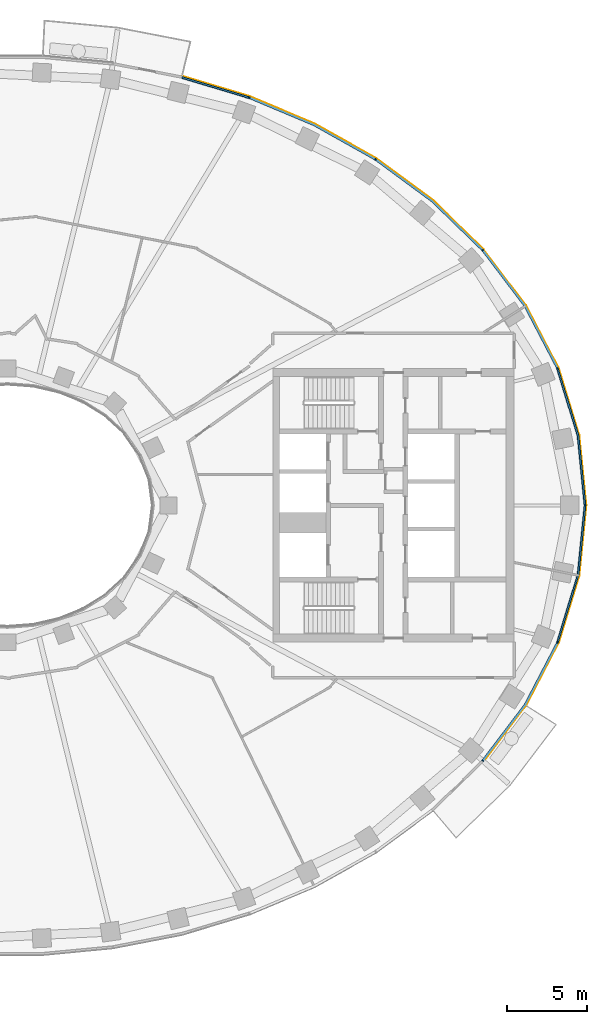
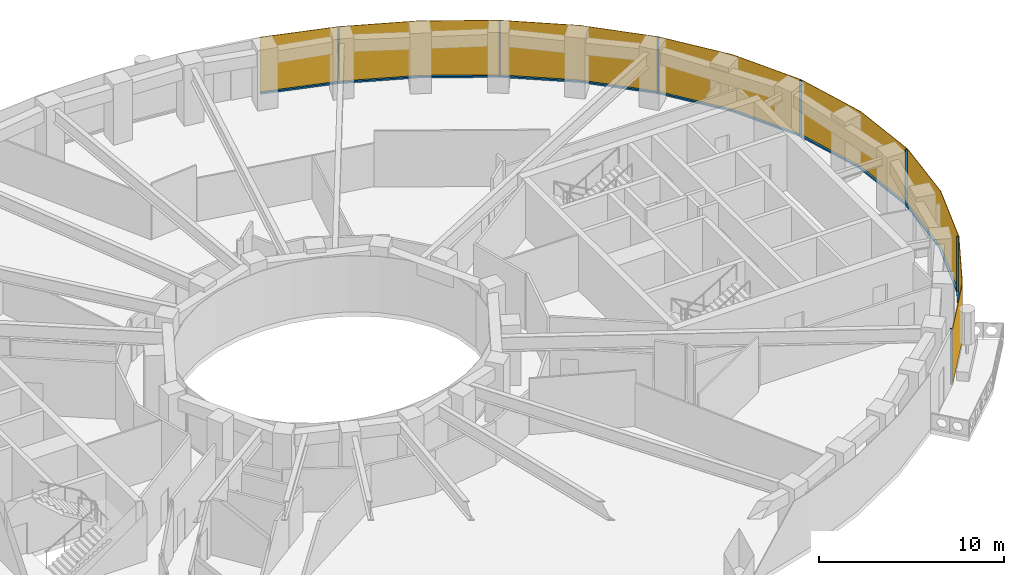
# One storey, part 13 of 16: 14 members, 1 curtain wall.
"""IFC4 building model written with IfcOpenShell, lengths in metres."""

from ifc_helpers import new_model, si_unit, direction, frame, origin, origin_2d, place, context, subcontext, project, spatial, polyline, rectangle, outline, extrude, material, layer, layer_set, material_profile, profile_set, type_object, element, aggregate, save


model = new_model("IFC4")

# Units and contexts
model_context = context("Model", 3, precision=1e-05, world=origin(), true_north=direction((0.0, 1.0)))
body_context = subcontext(model_context, "Body", "Model", "MODEL_VIEW")
ifc_project = project(units=[si_unit("LENGTHUNIT", "METRE"), si_unit("AREAUNIT", "SQUARE_METRE"), si_unit("VOLUMEUNIT", "CUBIC_METRE"), si_unit("PLANEANGLEUNIT", "RADIAN"), si_unit("MASSUNIT", "GRAM", prefix="KILO")], contexts=[model_context])

# Member
ifc_material_1 = material(Name="Aluminium 6063-T6 black anodised", Category="aluminium")
ifc_material_profile = material_profile(ifc_material_1, rectangle(XDim=0.1201171875, YDim=0.06005859375, at=origin_2d()), Name="120x60")
ifc_profile_set = profile_set([ifc_material_profile], Name="Aluminium 6063-T6 black anodised")
member_type_1 = type_object("IfcMemberType", Name="ENV-MULLION-A-120", PredefinedType="MULLION", material=ifc_profile_set)
site_placement = place(None, origin())
building_placement = place(site_placement, origin())
storey_placement = place(building_placement, frame((0.0, 0.0, 178.0)))
member_1_placement = place(storey_placement, frame((29.53857421875, -15.8671875, 0.0), z_axis=(0.0, 0.0, 1.0), x_axis=(-0.749047221705, 0.662516610853, 0.0)))
member_1 = element("IfcMember", 1, at=member_1_placement, type_object=member_type_1, Name="Mullion A radial 43", PredefinedType="MULLION", context=body_context, shape_type="SweptSolid", body=[
    extrude(rectangle(XDim=0.1201171875, YDim=0.06005859375, at=origin_2d()), origin(), (0.0, 0.0, 1.0), 3.699951171875),
])

member_2_placement = place(storey_placement, frame((34.19580078125, -8.513916015625, 0.0), z_axis=(0.0, 0.0, 1.0), x_axis=(-0.92546738067, 0.378827305398, 0.0)))
member_2 = element("IfcMember", 2, at=member_2_placement, type_object=member_type_1, Name="Mullion A radial 45", PredefinedType="MULLION", context=body_context, shape_type="SweptSolid", body=[
    extrude(rectangle(XDim=0.1201171875, YDim=0.06005859375, at=origin_2d()), origin(), (0.0, 0.0, 1.0), 3.699951171875),
])

member_3_placement = place(storey_placement, frame((35.907958984375, 0.0, 0.0), z_axis=(0.0, 0.0, 1.0), x_axis=(-1.0, 0.0, 0.0)))
member_3 = element("IfcMember", 3, at=member_3_placement, type_object=member_type_1, Name="Mullion A radial 01", PredefinedType="MULLION", context=body_context, shape_type="SweptSolid", body=[
    extrude(rectangle(XDim=0.1201171875, YDim=0.06005859375, at=origin_2d()), origin(), (0.0, 0.0, 1.0), 3.699951171875),
])

member_4_placement = place(storey_placement, frame((34.19580078125, 8.513916015625, 0.0), z_axis=(0.0, 0.0, 1.0), x_axis=(-0.92546738067, -0.378827305398, 0.0)))
member_4 = element("IfcMember", 4, at=member_4_placement, type_object=member_type_1, Name="Mullion A radial 03", PredefinedType="MULLION", context=body_context, shape_type="SweptSolid", body=[
    extrude(rectangle(XDim=0.1201171875, YDim=0.06005859375, at=origin_2d()), origin(), (0.0, 0.0, 1.0), 3.699951171875),
])

member_5_placement = place(storey_placement, frame((29.53857421875, 15.8671875, 0.0), z_axis=(0.0, 0.0, 1.0), x_axis=(-0.749047221705, -0.662516610853, 0.0)))
member_5 = element("IfcMember", 5, at=member_5_placement, type_object=member_type_1, Name="Mullion A radial 05", PredefinedType="MULLION", context=body_context, shape_type="SweptSolid", body=[
    extrude(rectangle(XDim=0.1201171875, YDim=0.06005859375, at=origin_2d()), origin(), (0.0, 0.0, 1.0), 3.699951171875),
])

member_6_placement = place(storey_placement, frame((22.882568359375, 21.506591796875, 0.0), z_axis=(0.0, 0.0, 1.0), x_axis=(-0.542279153225, -0.840198381323, 0.0)))
member_6 = element("IfcMember", 6, at=member_6_placement, type_object=member_type_1, Name="Mullion A radial 07", PredefinedType="MULLION", context=body_context, shape_type="SweptSolid", body=[
    extrude(rectangle(XDim=0.1201171875, YDim=0.06005859375, at=origin_2d()), origin(), (0.0, 0.0, 1.0), 3.699951171875),
])

member_7_placement = place(storey_placement, frame((15.0341796875, 25.34375, 0.0), z_axis=(0.0, 0.0, 1.0), x_axis=(-0.338379256581, -0.941009818608, 0.0)))
member_7 = element("IfcMember", 7, at=member_7_placement, type_object=member_type_1, Name="Mullion A radial 09", PredefinedType="MULLION", context=body_context, shape_type="SweptSolid", body=[
    extrude(rectangle(XDim=0.1201171875, YDim=0.06005859375, at=origin_2d()), origin(), (0.0, 0.0, 1.0), 3.699951171875),
])

ifc_material_2 = material(Name="Aluminium 6063-T6 black anodised", Category="aluminium")
member_type_2 = type_object("IfcMemberType", Name="ENV-TRANSOM-A", PredefinedType="USERDEFINED", material=ifc_material_2)
member_8_placement = place(storey_placement, origin())
member_8 = element("IfcMember", 8, at=member_8_placement, type_object=member_type_2, Name="Transom A radial 43-45", ObjectType="TRANSOM", PredefinedType="USERDEFINED", context=body_context, shape_type="SweptSolid", body=[
    extrude(outline(polyline([(29.6005859375, -15.884521484375), (32.22802734375, -12.41748046875), (34.23828125, -8.5615234375), (34.126708984375, -8.515869140625), (32.126220703125, -12.35302734375), (29.51025390625, -15.8046875), (29.6005859375, -15.884521484375)])), origin(), (0.0, 0.0, 1.0), 0.10009765625),
])

member_9_placement = place(storey_placement, origin())
member_9 = element("IfcMember", 9, at=member_9_placement, type_object=member_type_2, Name="Transom A radial 45-01", ObjectType="TRANSOM", PredefinedType="USERDEFINED", context=body_context, shape_type="SweptSolid", body=[
    extrude(outline(polyline([(34.259521484375, -8.509765625), (35.529541015625, -4.352294921875), (35.965087890625, -0.02783203125), (35.844482421875, -0.02783203125), (35.411376953125, -4.32861328125), (34.14794921875, -8.464111328125), (34.259521484375, -8.509765625)])), origin(), (0.0, 0.0, 1.0), 0.10009765625),
])

member_10_placement = place(storey_placement, origin())
member_10 = element("IfcMember", 10, at=member_10_placement, type_object=member_type_2, Name="Transom A radial 01-03", ObjectType="TRANSOM", PredefinedType="USERDEFINED", context=body_context, shape_type="SweptSolid", body=[
    extrude(outline(polyline([(35.965087890625, 0.02783203125), (35.529541015625, 4.352294921875), (34.259521484375, 8.509765625), (34.14794921875, 8.464111328125), (35.411376953125, 4.32861328125), (35.844482421875, 0.02783203125), (35.965087890625, 0.02783203125)])), origin(), (0.0, 0.0, 1.0), 0.10009765625),
])

member_11_placement = place(storey_placement, origin())
member_11 = element("IfcMember", 11, at=member_11_placement, type_object=member_type_2, Name="Transom A radial 03-05", ObjectType="TRANSOM", PredefinedType="USERDEFINED", context=body_context, shape_type="SweptSolid", body=[
    extrude(outline(polyline([(34.23828125, 8.5615234375), (32.22802734375, 12.41748046875), (29.6005859375, 15.884521484375), (29.51025390625, 15.8046875), (32.126220703125, 12.35302734375), (34.126708984375, 8.515869140625), (34.23828125, 8.5615234375)])), origin(), (0.0, 0.0, 1.0), 0.10009765625),
])

member_12_placement = place(storey_placement, origin())
member_12 = element("IfcMember", 12, at=member_12_placement, type_object=member_type_2, Name="Transom A radial 05-07", ObjectType="TRANSOM", PredefinedType="USERDEFINED", context=body_context, shape_type="SweptSolid", body=[
    extrude(outline(polyline([(29.5634765625, 15.926513671875), (26.4423828125, 18.958740234375), (22.937744140625, 21.540283203125), (22.87255859375, 21.439208984375), (26.364501953125, 18.866943359375), (29.473388671875, 15.8466796875), (29.5634765625, 15.926513671875)])), origin(), (0.0, 0.0, 1.0), 0.10009765625),
])

member_13_placement = place(storey_placement, origin())
member_13 = element("IfcMember", 13, at=member_13_placement, type_object=member_type_2, Name="Transom A radial 07-09", ObjectType="TRANSOM", PredefinedType="USERDEFINED", context=body_context, shape_type="SweptSolid", body=[
    extrude(outline(polyline([(22.890625, 21.570556640625), (19.093994140625, 23.701416015625), (15.080322265625, 25.389404296875), (15.03955078125, 25.276123046875), (19.041259765625, 23.593505859375), (22.825439453125, 21.469482421875), (22.890625, 21.570556640625)])), origin(), (0.0, 0.0, 1.0), 0.10009765625),
])

member_14_placement = place(storey_placement, origin())
member_14 = element("IfcMember", 14, at=member_14_placement, type_object=member_type_2, Name="Transom A radial 09-10", ObjectType="TRANSOM", PredefinedType="USERDEFINED", context=body_context, shape_type="SweptSolid", body=[
    extrude(outline(polyline([(15.027587890625, 25.408203125), (10.876708984375, 26.657470703125), (10.847900390625, 26.540771484375), (14.987060546875, 25.295166015625), (15.027587890625, 25.408203125)])), origin(), (0.0, 0.0, 1.0), 0.10009765625),
])

# Site, building, storey
site = spatial("IfcSite", under=ifc_project, at=site_placement, CompositionType="ELEMENT")
building = spatial("IfcBuilding", under=site, at=building_placement, Name="Noorbagh Ring Tower", CompositionType="ELEMENT")
storey = spatial("IfcBuildingStorey", under=building, at=storey_placement, Name="L41", CompositionType="ELEMENT", Elevation=178.0)

# Curtain wall
ifc_material_3 = material(Name="Glass dark tinted laminated", Category="glass")
ifc_layer = layer(ifc_material_3, 0.031982421875)
ifc_layer_set = layer_set([ifc_layer], Name="Glass dark tinted laminated")
curtain_wall_type = type_object("IfcCurtainWallType", Name="ENV-CW-A", PredefinedType="NOTDEFINED", material=ifc_layer_set)
curtain_wall_placement = place(storey_placement, origin())
curtain_wall = element("IfcCurtainWall", 15, at=curtain_wall_placement, inside=storey, type_object=curtain_wall_type, Name="Curtain wall A R43", PredefinedType="NOTDEFINED", context=body_context, shape_type="SweptSolid", body=[
    extrude(outline(polyline([(29.61962890625, -15.912109375), (32.255126953125, -12.434814453125), (34.281005859375, -8.548828125), (35.561279296875, -4.358642578125), (36.0, 0.0), (35.561279296875, 4.358642578125), (34.281005859375, 8.548828125), (32.255126953125, 12.434814453125), (29.607666015625, 15.927978515625), (26.463134765625, 18.9833984375), (22.9326171875, 21.583740234375), (19.108154296875, 23.730224609375), (15.065185546875, 25.430419921875), (10.884521484375, 26.6884765625), (10.876708984375, 26.657470703125), (15.054443359375, 25.400146484375), (19.093994140625, 23.701416015625), (22.9150390625, 21.556884765625), (26.4423828125, 18.958740234375), (29.58349609375, 15.906982421875), (32.22802734375, 12.41748046875), (34.251220703125, 8.53662109375), (35.529541015625, 4.352294921875), (35.9677734375, 0.0), (35.529541015625, -4.352294921875), (34.251220703125, -8.53662109375), (32.22802734375, -12.41748046875), (29.595703125, -15.890869140625), (29.61962890625, -15.912109375)])), origin(), (0.0, 0.0, 1.0), 3.699951171875),
])

aggregate(curtain_wall, [member_1, member_2, member_3, member_4, member_5, member_6, member_7, member_8, member_9, member_10, member_11, member_12, member_13, member_14])

save(model, "model.ifc")
